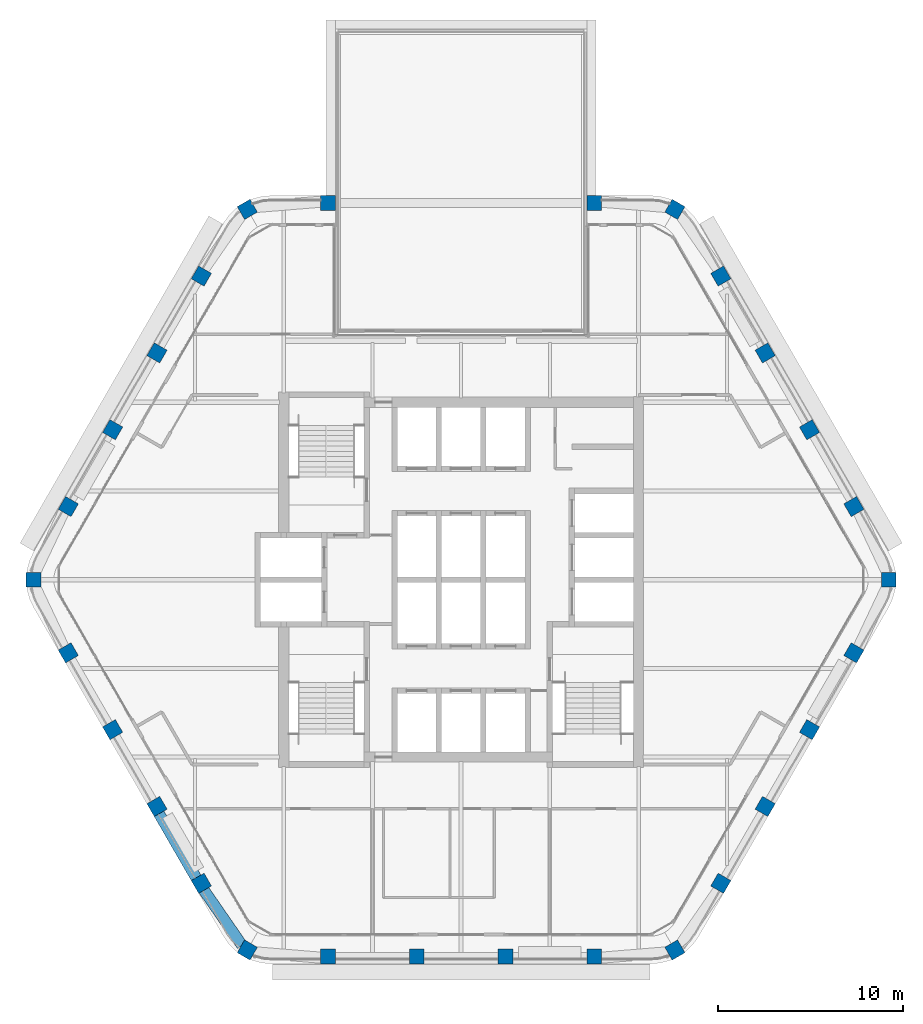
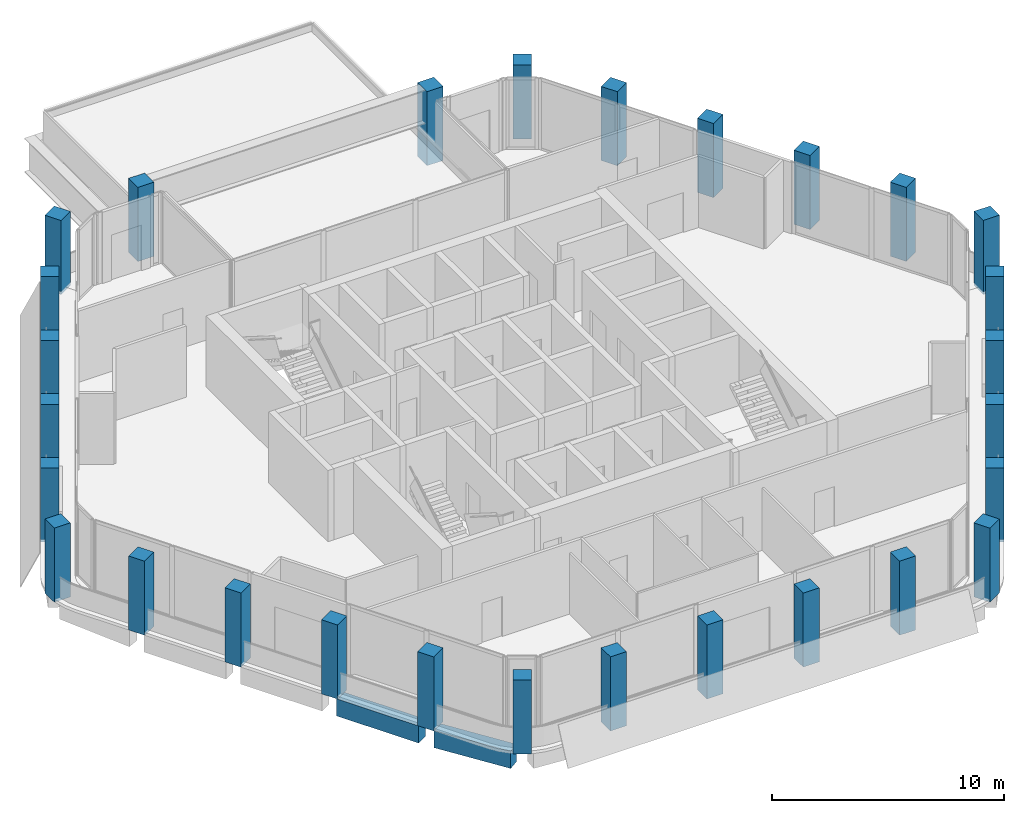
# One storey, part 1 of 16: 28 columns, 2 beams.
"""IFC4 building model written with IfcOpenShell, lengths in metres."""

import ifcopenshell
import ifcopenshell.guid

model = None  # the IFC model being written
_history = None  # IfcOwnerHistory: only IFC2X3 demands one
_inside = {}  # id of a spatial element -> (the spatial element, [elements in it])
_under = {}  # id of a project, library or spatial element -> (it, [spatial elements below it])
_declared = {}  # id of a project -> (the project, [libraries it declares])
_typed = {}  # id of a type object -> (the type object, [elements of that type])
_made_of = {}  # id of a material, layer set ... -> (it, [elements and type objects made of it])


def new_model(schema):
    """Start an empty IFC model of exactly this schema.

    Asked for "IFC4X3", IfcOpenShell would pick the latest addendum, in which some entities
    have other attributes; the version numbers below select the first issue.
    IFC2X3 requires an IfcOwnerHistory on every rooted entity: one is made here for all.
    """
    global model, _history
    if schema == "IFC4X3":
        model = ifcopenshell.file(schema_version=(4, 3, 0, 0))
    else:
        model = ifcopenshell.file(schema=schema)
    _inside.clear()
    _under.clear()
    _declared.clear()
    _typed.clear()
    _made_of.clear()
    _history = None
    if model.schema == "IFC2X3":
        org = make("IfcOrganization", Name="unknown")
        user = make(
            "IfcPersonAndOrganization",
            ThePerson=make("IfcPerson", FamilyName="unknown"),
            TheOrganization=org,
        )
        app = make(
            "IfcApplication",
            ApplicationDeveloper=org,
            Version="unknown",
            ApplicationFullName="unknown",
            ApplicationIdentifier="unknown",
        )
        _history = make(
            "IfcOwnerHistory",
            OwningUser=user,
            OwningApplication=app,
            ChangeAction="ADDED",
            CreationDate=0,
        )
    return model


def make(cls, **values):
    """One entity of the class cls with the attributes given. An attribute that is None is left unset."""
    return model.create_entity(
        cls, **{name: value for name, value in values.items() if value is not None}
    )


def rooted(cls, **values):
    """An entity with a GlobalId (a new one), such as an element, a storey or a relation."""
    return make(cls, GlobalId=ifcopenshell.guid.new(), OwnerHistory=_history, **values)


def si_unit(unit_type, name, prefix=None):
    """IfcSIUnit, for example si_unit("LENGTHUNIT", "METRE", prefix="MILLI")."""
    return make("IfcSIUnit", UnitType=unit_type, Prefix=prefix, Name=name)


def assignment(units):
    """IfcUnitAssignment: the units of a project."""
    return None if units is None else make("IfcUnitAssignment", Units=units)


def point(xyz):
    """IfcCartesianPoint."""
    return None if xyz is None else make("IfcCartesianPoint", Coordinates=xyz)


def direction(xyz):
    """IfcDirection."""
    return None if xyz is None else make("IfcDirection", DirectionRatios=xyz)


def frame(location, z_axis=None, x_axis=None):
    """IfcAxis2Placement3D, a coordinate frame: its origin and axes. An axis left out is left unset."""
    return make(
        "IfcAxis2Placement3D",
        Location=point(location),
        Axis=direction(z_axis),
        RefDirection=direction(x_axis),
    )


def frame_2d(location, x_axis=None):
    """IfcAxis2Placement2D, a coordinate frame in the plane: its origin and x axis."""
    return make(
        "IfcAxis2Placement2D", Location=point(location), RefDirection=direction(x_axis)
    )


def origin():
    """The frame at (0, 0, 0) with its axes left unset."""
    return frame((0.0, 0.0, 0.0))


def origin_2d():
    """The frame at (0, 0) in the plane with its x axis left unset."""
    return frame_2d((0.0, 0.0))


def place(relative_to, where):
    """IfcLocalPlacement: puts the frame where relative to a parent placement (None: the world)."""
    return make(
        "IfcLocalPlacement", PlacementRelTo=relative_to, RelativePlacement=where
    )


def context(
    kind, dimensions, precision=None, world=None, true_north=None, identifier=None
):
    """IfcGeometricRepresentationContext, for example the 3D "Model" context."""
    return make(
        "IfcGeometricRepresentationContext",
        ContextIdentifier=identifier,
        ContextType=kind,
        CoordinateSpaceDimension=dimensions,
        Precision=precision,
        WorldCoordinateSystem=world,
        TrueNorth=true_north,
    )


def subcontext(parent, identifier, kind, view, scale=None):
    """IfcGeometricRepresentationSubContext, for example "Body" below "Model"."""
    return make(
        "IfcGeometricRepresentationSubContext",
        ContextIdentifier=identifier,
        ContextType=kind,
        ParentContext=parent,
        TargetScale=scale,
        TargetView=view,
    )


def project(units=None, contexts=None):
    """IfcProject with its units and contexts."""
    return rooted(
        "IfcProject",
        Name="project",
        RepresentationContexts=contexts,
        UnitsInContext=assignment(units),
    )


def spatial(cls, under=None, at=None, **own):
    """A site, building, storey or space (cls), placed at a placement, below another one or the project."""
    s = rooted(cls, ObjectPlacement=at, **own)
    if under is not None:
        _under.setdefault(under.id(), (under, []))[1].append(s)
    return s


def profile(cls, at=None, kind="AREA", **sizes):
    """A parametric profile (cls). Its sizes go by their IFC names, for example OverallWidth=200.0."""
    return make(cls, ProfileType=kind, Position=at, **sizes)


def rectangle(**sizes):
    """IfcRectangleProfileDef."""
    return profile("IfcRectangleProfileDef", **sizes)


def extrude(swept, where, along, depth):
    """IfcExtrudedAreaSolid: the profile swept, set in the frame where, extruded along a direction by depth."""
    return make(
        "IfcExtrudedAreaSolid",
        SweptArea=swept,
        Position=where,
        ExtrudedDirection=direction(along),
        Depth=depth,
    )


def shape(context_of_items, identifier, shape_type, items):
    """IfcShapeRepresentation: the items that make up one representation, for example the "Body"."""
    return make(
        "IfcShapeRepresentation",
        ContextOfItems=context_of_items,
        RepresentationIdentifier=identifier,
        RepresentationType=shape_type,
        Items=items,
    )


def material(Name=None, Category=None):
    """IfcMaterial."""
    return make("IfcMaterial", Name=Name, Category=Category)


def material_profile(
    of_material, cross_section, Name=None, Category=None, Priority=None
):
    """IfcMaterialProfile: a cross section and its material."""
    return make(
        "IfcMaterialProfile",
        Name=Name,
        Material=of_material,
        Profile=cross_section,
        Priority=Priority,
        Category=Category,
    )


def profile_set(profiles, Name=None, composite=None):
    """IfcMaterialProfileSet."""
    return make(
        "IfcMaterialProfileSet",
        Name=Name,
        MaterialProfiles=profiles,
        CompositeProfile=composite,
    )


def made_of(thing, what):
    """Note that an element or type object is made of a material, layer set ...; save() writes the relation."""
    if what is not None:
        _made_of.setdefault(what.id(), (what, []))[1].append(thing)
    return thing


def type_object(cls, material=None, **own):
    """A type object (cls), such as IfcWallType, which elements share."""
    return made_of(rooted(cls, **own), material)


def element(
    cls,
    number,
    at=None,
    inside=None,
    cuts=None,
    type_object=None,
    material=None,
    context=None,
    identifier="Body",
    shape_type=None,
    held_by="IfcProductDefinitionShape",
    body=None,
    shapes=None,
    **own,
):
    """One element of the class cls, such as IfcWall. Its Tag is "e" and its number.

    at: its placement. inside: the storey or other place that contains it. cuts: it is an
    opening in that element (IfcRelVoidsElement). A single representation is given by context,
    identifier, shape_type and body (its items); several are given by shapes. held_by: the class
    of the entity that holds the representations. save() writes the other relations.
    """
    e = rooted(cls, Tag="e%d" % number, ObjectPlacement=at, **own)
    if body is not None:
        shapes = [shape(context, identifier, shape_type, body)]
    if shapes is not None:
        e.Representation = make(held_by, Representations=shapes)
    if inside is not None:
        _inside.setdefault(inside.id(), (inside, []))[1].append(e)
    if cuts is not None:
        rooted(
            "IfcRelVoidsElement", RelatingBuildingElement=cuts, RelatedOpeningElement=e
        )
    if type_object is not None:
        _typed.setdefault(type_object.id(), (type_object, []))[1].append(e)
    return made_of(e, material)


def aggregate(whole, parts):
    """IfcRelAggregates: a whole, such as a stair, and the parts it consists of."""
    return rooted("IfcRelAggregates", RelatingObject=whole, RelatedObjects=parts)


def save(model, path):
    """Write the relations noted so far, then the file.

    IfcRelAggregates (storeys below a building ...), IfcRelContainedInSpatialStructure (elements
    in a storey), IfcRelDefinesByType, IfcRelAssociatesMaterial and IfcRelDeclares: one each for
    every whole, place, type object, material and project.
    """
    for whole, parts in _under.values():
        aggregate(whole, parts)
    for where, things in _inside.values():
        rooted(
            "IfcRelContainedInSpatialStructure",
            RelatedElements=things,
            RelatingStructure=where,
        )
    for kind, things in _typed.values():
        rooted("IfcRelDefinesByType", RelatedObjects=things, RelatingType=kind)
    for what, things in _made_of.values():
        rooted("IfcRelAssociatesMaterial", RelatedObjects=things, RelatingMaterial=what)
    for by, libraries in _declared.values():
        rooted("IfcRelDeclares", RelatingContext=by, RelatedDefinitions=libraries)
    model.write(path)


model = new_model("IFC4")

# Units and contexts
model_context = context("Model", 3, precision=1e-05, world=origin(), true_north=direction((0.0, 1.0)))
body_context = subcontext(model_context, "Body", "Model", "MODEL_VIEW")
ifc_project = project(units=[si_unit("LENGTHUNIT", "METRE"), si_unit("AREAUNIT", "SQUARE_METRE"), si_unit("VOLUMEUNIT", "CUBIC_METRE"), si_unit("PLANEANGLEUNIT", "RADIAN"), si_unit("MASSUNIT", "GRAM", prefix="KILO")], contexts=[model_context])

# Site, building, storey
site_placement = place(None, origin())
site = spatial("IfcSite", under=ifc_project, at=site_placement, CompositionType="ELEMENT")
building_placement = place(site_placement, origin())
building = spatial("IfcBuilding", under=site, at=building_placement, Name="Kolab Exchange Tower", CompositionType="ELEMENT")
storey_placement = place(building_placement, frame((0.0, 0.0, 269.60009765625)))
storey = spatial("IfcBuildingStorey", under=building, at=storey_placement, Name="L60", CompositionType="ELEMENT", Elevation=269.60009765625)

# Columns
ifc_material = material(Name="Concrete C50/60", Category="concrete")
ifc_material_profile_1 = material_profile(ifc_material, rectangle(XDim=0.800048828125, YDim=0.800048828125, at=origin_2d()), Name="RC800")
ifc_profile_set_1 = profile_set([ifc_material_profile_1], Name="Concrete C50/60")
column_type = type_object("IfcColumnType", Name="PERIMETER COLUMN 800 SQ C50/60", PredefinedType="COLUMN", material=ifc_profile_set_1)
for number, where, z_axis, x_axis, name in (
    (1, (-11.56787109375, 20.036376953125, -0.150146484375), (0.0, 0.0, 1.0), (0.866025403784, 0.5, 0.0), "col/L60/F1-01"),
    (2, (-7.199951171875, 20.384521484375, -0.150146484375), (0.0, 0.0, 1.0), (1.0, 0.0, 0.0), "col/L60/F1-02"),
    (3, (7.199951171875, 20.384521484375, -0.150146484375), (0.0, 0.0, 1.0), (1.0, 0.0, 0.0), "col/L60/F1-05"),
    (4, (11.56787109375, 20.036376953125, -0.150146484375), (0.0, 0.0, 1.0), (0.5, 0.866025403784, 0.0), "col/L60/F2-01"),
    (5, (14.0537109375, 16.427734375, -0.150146484375), (0.0, 0.0, 1.0), (0.866025403784, 0.5, 0.0), "col/L60/F2-02"),
    (6, (16.45361328125, 12.270751953125, -0.150146484375), (0.0, 0.0, 1.0), (0.866025403784, 0.5, 0.0), "col/L60/F2-03"),
    (7, (18.853515625, 8.11376953125, -0.150146484375), (0.0, 0.0, 1.0), (0.866025403784, 0.5, 0.0), "col/L60/F2-04"),
    (8, (21.253662109375, 3.95703125, -0.150146484375), (0.0, 0.0, 1.0), (0.866025403784, 0.5, 0.0), "col/L60/F2-05"),
    (9, (23.135986328125, 0.0, -0.150146484375), (0.0, 0.0, 1.0), (1.0, 0.0, 0.0), "col/L60/F3-01"),
    (10, (21.253662109375, -3.95703125, -0.150146484375), (0.0, 0.0, 1.0), (0.5, 0.866025403784, 0.0), "col/L60/F3-02"),
    (11, (18.853515625, -8.11376953125, -0.150146484375), (0.0, 0.0, 1.0), (0.5, 0.866025403784, 0.0), "col/L60/F3-03"),
    (12, (16.45361328125, -12.270751953125, -0.150146484375), (0.0, 0.0, 1.0), (0.5, 0.866025403784, 0.0), "col/L60/F3-04"),
    (13, (14.0537109375, -16.427734375, -0.150146484375), (0.0, 0.0, 1.0), (0.5, 0.866025403784, 0.0), "col/L60/F3-05"),
    (14, (11.56787109375, -20.036376953125, -0.150146484375), (0.0, 0.0, 1.0), (0.866025403784, 0.5, 0.0), "col/L60/F4-01"),
    (15, (7.199951171875, -20.384521484375, -0.150146484375), (0.0, 0.0, 1.0), (1.0, 0.0, 0.0), "col/L60/F4-02"),
    (16, (2.39990234375, -20.384521484375, -0.150146484375), (0.0, 0.0, 1.0), (1.0, 0.0, 0.0), "col/L60/F4-03"),
    (17, (-2.39990234375, -20.384521484375, -0.150146484375), (0.0, 0.0, 1.0), (1.0, 0.0, 0.0), "col/L60/F4-04"),
    (18, (-7.199951171875, -20.384521484375, -0.150146484375), (0.0, 0.0, 1.0), (1.0, 0.0, 0.0), "col/L60/F4-05"),
    (19, (-11.56787109375, -20.036376953125, -0.150146484375), (0.0, 0.0, 1.0), (0.5, 0.866025403784, 0.0), "col/L60/F5-01"),
    (20, (-14.0537109375, -16.427734375, -0.150146484375), (0.0, 0.0, 1.0), (0.866025403784, 0.5, 0.0), "col/L60/F5-02"),
    (21, (-16.45361328125, -12.270751953125, -0.150146484375), (0.0, 0.0, 1.0), (0.866025403784, 0.5, 0.0), "col/L60/F5-03"),
    (22, (-18.853515625, -8.11376953125, -0.150146484375), (0.0, 0.0, 1.0), (0.866025403784, 0.5, 0.0), "col/L60/F5-04"),
    (23, (-21.253662109375, -3.95703125, -0.150146484375), (0.0, 0.0, 1.0), (0.866025403784, 0.5, 0.0), "col/L60/F5-05"),
    (24, (-23.135986328125, 0.0, -0.150146484375), (0.0, 0.0, 1.0), (1.0, 0.0, 0.0), "col/L60/F6-01"),
    (25, (-21.253662109375, 3.95703125, -0.150146484375), (0.0, 0.0, 1.0), (0.5, 0.866025403784, 0.0), "col/L60/F6-02"),
    (26, (-18.853515625, 8.11376953125, -0.150146484375), (0.0, 0.0, 1.0), (0.5, 0.866025403784, 0.0), "col/L60/F6-03"),
    (27, (-16.45361328125, 12.270751953125, -0.150146484375), (0.0, 0.0, 1.0), (0.5, 0.866025403784, 0.0), "col/L60/F6-04"),
    (28, (-14.0537109375, 16.427734375, -0.150146484375), (0.0, 0.0, 1.0), (0.5, 0.866025403784, 0.0), "col/L60/F6-05"),
):
    element("IfcColumn", number, at=place(storey_placement, frame(where, z_axis=z_axis, x_axis=x_axis)), inside=storey, type_object=column_type, Name=name, PredefinedType="COLUMN", context=body_context, shape_type="SweptSolid", body=[
        extrude(rectangle(XDim=0.800048828125, YDim=0.800048828125, at=origin_2d()), origin(), (0.0, 0.0, 1.0), 3.900146484375),
    ])

# Beams
ifc_material_profile_2 = material_profile(ifc_material, rectangle(XDim=0.60009765625, YDim=0.89990234375, at=origin_2d()), Name="RC600X900")
ifc_profile_set_2 = profile_set([ifc_material_profile_2], Name="Concrete C50/60")
beam_type = type_object("IfcBeamType", Name="SPANDREL BEAM 600X900 C50/60", PredefinedType="BEAM", material=ifc_profile_set_2)
beam_1_placement = place(storey_placement, frame((-11.846923828125, -19.7919921875, -0.60009765625), z_axis=(-0.569005808573, 0.822333502789, 0.0), x_axis=(-0.822333502789, -0.569005808573, 0.0)))
element("IfcBeam", 29, at=beam_1_placement, inside=storey, type_object=beam_type, Name="beam/L60/sp/F5-01", PredefinedType="BEAM", context=body_context, shape_type="SweptSolid", body=[
    extrude(rectangle(XDim=0.60009765625, YDim=0.89990234375, at=origin_2d()), origin(), (0.0, 0.0, 1.0), 3.6689453125),
])
beam_2_placement = place(storey_placement, frame((-14.3203125, -16.166015625, -0.60009765625), z_axis=(-0.499955548806, 0.866051066172, 0.0), x_axis=(-0.866051066172, -0.499955548806, 0.0)))
element("IfcBeam", 30, at=beam_2_placement, inside=storey, type_object=beam_type, Name="beam/L60/sp/F5-02", PredefinedType="BEAM", context=body_context, shape_type="SweptSolid", body=[
    extrude(rectangle(XDim=0.60009765625, YDim=0.89990234375, at=origin_2d()), origin(), (0.0, 0.0, 1.0), 4.079833984375),
])

save(model, "model.ifc")
